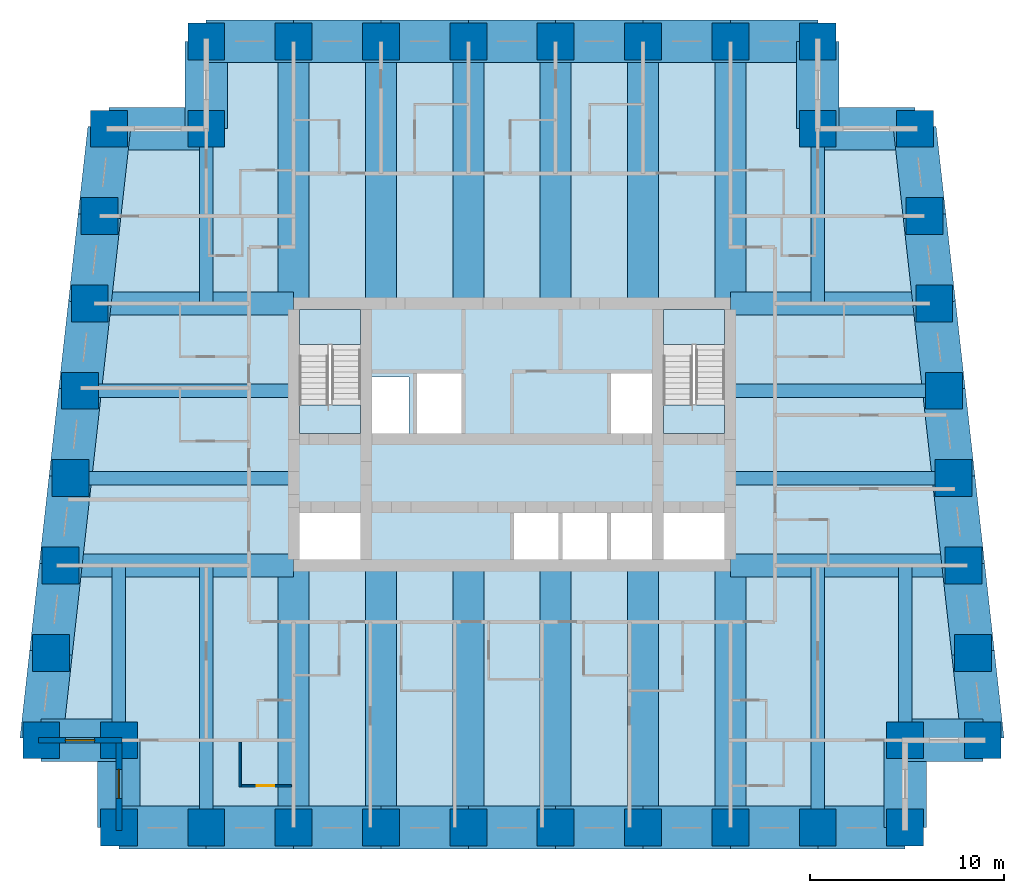
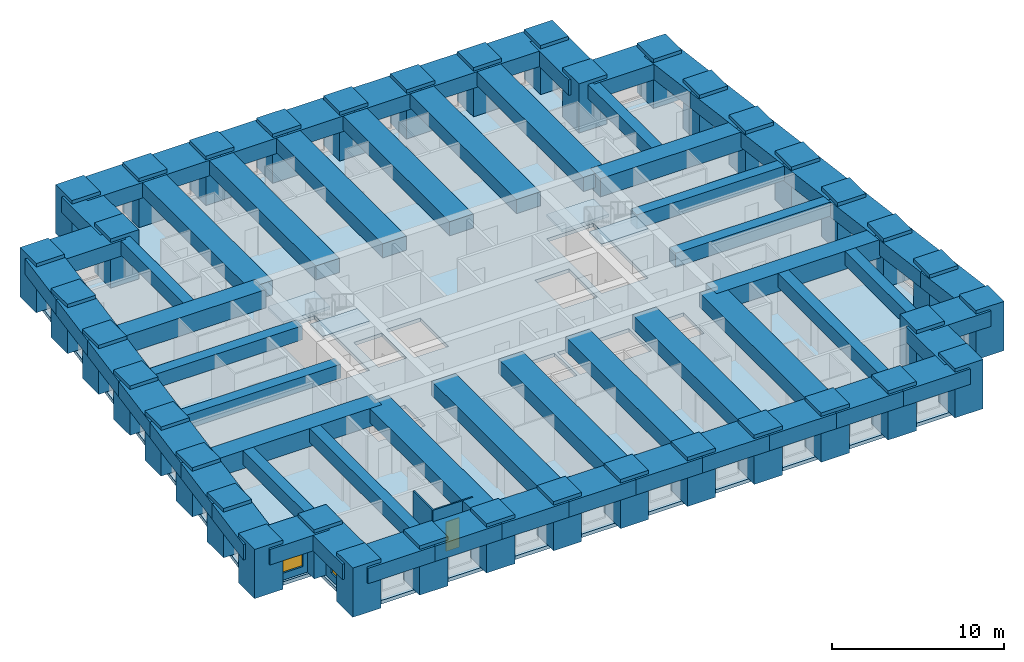
# One storey, part 1 of 8: 64 beams, 38 columns, 5 slabs, 4 walls, 2 windows, 1 door, 3 openings, 2 elements without a shape of their own.
"""IFC4 building model written with IfcOpenShell, lengths in metres."""

from ifc_helpers import new_model, si_unit, direction, frame, frame_2d, origin, origin_2d, place, context, subcontext, project, spatial, polyline, rectangle, outline, extrude, material, layer, layer_set, material_profile, profile_set, type_object, element, fill, aggregate, save


model = new_model("IFC4")

# Units and contexts
model_context = context("Model", 3, precision=1e-05, world=origin(), true_north=direction((0.0, 1.0)))
body_context = subcontext(model_context, "Body", "Model", "MODEL_VIEW")
ifc_project = project(units=[si_unit("LENGTHUNIT", "METRE"), si_unit("AREAUNIT", "SQUARE_METRE"), si_unit("VOLUMEUNIT", "CUBIC_METRE"), si_unit("PLANEANGLEUNIT", "RADIAN"), si_unit("MASSUNIT", "GRAM", prefix="KILO")], contexts=[model_context])

# Site, building, storey
site_placement = place(None, origin())
site = spatial("IfcSite", under=ifc_project, at=site_placement, CompositionType="ELEMENT")
building_placement = place(site_placement, origin())
building = spatial("IfcBuilding", under=site, at=building_placement, Name="Kilele Tower Hotel", CompositionType="ELEMENT")
storey_placement = place(building_placement, frame((0.0, 0.0, 135.39990234375)))
storey = spatial("IfcBuildingStorey", under=building, at=storey_placement, Name="L35", CompositionType="ELEMENT", Elevation=135.39990234375)

# Columns
ifc_material_1 = material(Name="Concrete C70/85", Category="concrete")
ifc_material_profile_1 = material_profile(ifc_material_1, rectangle(XDim=1.89990234375, YDim=1.89990234375, at=origin_2d()))
ifc_profile_set_1 = profile_set([ifc_material_profile_1], Name="Concrete C70/85")
column_type = type_object("IfcColumnType", Name="Tube column RC 1900x1900 C70/85", PredefinedType="COLUMN", material=ifc_profile_set_1)
for number, where, z_axis, x_axis, name in (
    (1, (0.5, 4.5, 0.0), (0.0, 0.0, 1.0), (1.0, 0.0, 0.0), "Column TC2 L35"),
    (2, (4.5, 4.5, 0.0), (0.0, 0.0, 1.0), (1.0, 0.0, 0.0), "Column TC2 L35"),
    (3, (4.5, 0.0, 0.0), (0.0, 0.0, 1.0), (1.0, 0.0, 0.0), "Column TC2 L35"),
    (4, (9.0, 0.0, 0.0), (0.0, 0.0, 1.0), (1.0, 0.0, 0.0), "Column TC2 L35"),
    (5, (13.5, 0.0, 0.0), (0.0, 0.0, 1.0), (1.0, 0.0, 0.0), "Column TC2 L35"),
    (6, (18.0, 0.0, 0.0), (0.0, 0.0, 1.0), (1.0, 0.0, 0.0), "Column TC2 L35"),
    (7, (22.5, 0.0, 0.0), (0.0, 0.0, 1.0), (1.0, 0.0, 0.0), "Column TC2 L35"),
    (8, (27.0, 0.0, 0.0), (0.0, 0.0, 1.0), (1.0, 0.0, 0.0), "Column TC2 L35"),
    (9, (31.5, 0.0, 0.0), (0.0, 0.0, 1.0), (1.0, 0.0, 0.0), "Column TC2 L35"),
    (10, (36.0, 0.0, 0.0), (0.0, 0.0, 1.0), (1.0, 0.0, 0.0), "Column TC2 L35"),
    (11, (40.5, 0.0, 0.0), (0.0, 0.0, 1.0), (1.0, 0.0, 0.0), "Column TC2 L35"),
    (12, (45.0, 0.0, 0.0), (0.0, 0.0, 1.0), (1.0, 0.0, 0.0), "Column TC2 L35"),
    (13, (45.0, 4.5, 0.0), (0.0, 0.0, 1.0), (1.0, 0.0, 0.0), "Column TC2 L35"),
    (14, (49.0, 4.5, 0.0), (0.0, 0.0, 1.0), (1.0, 0.0, 0.0), "Column TC2 L35"),
    (15, (48.5, 9.0, 0.0), (0.0, 0.0, 1.0), (1.0, 0.0, 0.0), "Column TC2 L35"),
    (16, (48.0, 13.5, 0.0), (0.0, 0.0, 1.0), (1.0, 0.0, 0.0), "Column TC2 L35"),
    (17, (47.5, 18.0, 0.0), (0.0, 0.0, 1.0), (1.0, 0.0, 0.0), "Column TC2 L35"),
    (18, (47.0, 22.5, 0.0), (0.0, 0.0, 1.0), (1.0, 0.0, 0.0), "Column TC2 L35"),
    (19, (46.5, 27.0, 0.0), (0.0, 0.0, 1.0), (1.0, 0.0, 0.0), "Column TC2 L35"),
    (20, (46.0, 31.5, 0.0), (0.0, 0.0, 1.0), (1.0, 0.0, 0.0), "Column TC2 L35"),
    (21, (45.5, 36.0, 0.0), (0.0, 0.0, 1.0), (1.0, 0.0, 0.0), "Column TC2 L35"),
    (22, (40.5, 36.0, 0.0), (0.0, 0.0, 1.0), (1.0, 0.0, 0.0), "Column TC2 L35"),
    (23, (40.5, 40.5, 0.0), (0.0, 0.0, 1.0), (1.0, 0.0, 0.0), "Column TC2 L35"),
    (24, (36.0, 40.5, 0.0), (0.0, 0.0, 1.0), (1.0, 0.0, 0.0), "Column TC2 L35"),
    (25, (31.5, 40.5, 0.0), (0.0, 0.0, 1.0), (1.0, 0.0, 0.0), "Column TC2 L35"),
    (26, (27.0, 40.5, 0.0), (0.0, 0.0, 1.0), (1.0, 0.0, 0.0), "Column TC2 L35"),
    (27, (22.5, 40.5, 0.0), (0.0, 0.0, 1.0), (1.0, 0.0, 0.0), "Column TC2 L35"),
    (28, (18.0, 40.5, 0.0), (0.0, 0.0, 1.0), (1.0, 0.0, 0.0), "Column TC2 L35"),
    (29, (13.5, 40.5, 0.0), (0.0, 0.0, 1.0), (1.0, 0.0, 0.0), "Column TC2 L35"),
    (30, (9.0, 40.5, 0.0), (0.0, 0.0, 1.0), (1.0, 0.0, 0.0), "Column TC2 L35"),
    (31, (9.0, 36.0, 0.0), (0.0, 0.0, 1.0), (1.0, 0.0, 0.0), "Column TC2 L35"),
    (32, (4.0, 36.0, 0.0), (0.0, 0.0, 1.0), (1.0, 0.0, 0.0), "Column TC2 L35"),
    (33, (3.5, 31.5, 0.0), (0.0, 0.0, 1.0), (1.0, 0.0, 0.0), "Column TC2 L35"),
    (34, (3.0, 27.0, 0.0), (0.0, 0.0, 1.0), (1.0, 0.0, 0.0), "Column TC2 L35"),
    (35, (2.5, 22.5, 0.0), (0.0, 0.0, 1.0), (1.0, 0.0, 0.0), "Column TC2 L35"),
    (36, (2.0, 18.0, 0.0), (0.0, 0.0, 1.0), (1.0, 0.0, 0.0), "Column TC2 L35"),
    (37, (1.5, 13.5, 0.0), (0.0, 0.0, 1.0), (1.0, 0.0, 0.0), "Column TC2 L35"),
    (38, (1.0, 9.0, 0.0), (0.0, 0.0, 1.0), (1.0, 0.0, 0.0), "Column TC2 L35"),
):
    element("IfcColumn", number, at=place(storey_placement, frame(where, z_axis=z_axis, x_axis=x_axis)), inside=storey, type_object=column_type, Name=name, PredefinedType="COLUMN", context=body_context, shape_type="SweptSolid", body=[
        extrude(rectangle(XDim=1.89990234375, YDim=1.89990234375, at=origin_2d()), origin(), (0.0, 0.0, 1.0), 3.5),
    ])

# Beams
ifc_material_2 = material(Name="Concrete C60/75", Category="concrete")
ifc_material_profile_2 = material_profile(ifc_material_2, rectangle(XDim=1.60009765625, YDim=1.0, at=origin_2d()))
ifc_profile_set_2 = profile_set([ifc_material_profile_2], Name="Concrete C60/75")
beam_type_1 = type_object("IfcBeamType", Name="Beam RC 1600x1000 C60/75", PredefinedType="BEAM", material=ifc_profile_set_2)
for number, where, z_axis, x_axis, name in (
    (39, (13.5, 0.0, 2.75), (0.0, 1.0, 0.0), (-1.0, 0.0, 0.0), "Beam BC1 level L36"),
    (40, (18.0, 0.0, 2.75), (0.0, 1.0, 0.0), (-1.0, 0.0, 0.0), "Beam BC1 level L36"),
    (41, (22.5, 0.0, 2.75), (0.0, 1.0, 0.0), (-1.0, 0.0, 0.0), "Beam BC1 level L36"),
    (42, (27.0, 0.0, 2.75), (0.0, 1.0, 0.0), (-1.0, 0.0, 0.0), "Beam BC1 level L36"),
    (43, (31.5, 0.0, 2.75), (0.0, 1.0, 0.0), (-1.0, 0.0, 0.0), "Beam BC1 level L36"),
    (44, (36.0, 0.0, 2.75), (0.0, 1.0, 0.0), (-1.0, 0.0, 0.0), "Beam BC1 level L36"),
    (45, (36.0, 40.5, 2.75), (0.0, -1.0, 0.0), (1.0, 0.0, 0.0), "Beam BC1 level L36"),
    (46, (31.5, 40.5, 2.75), (0.0, -1.0, 0.0), (1.0, 0.0, 0.0), "Beam BC1 level L36"),
    (47, (27.0, 40.5, 2.75), (0.0, -1.0, 0.0), (1.0, 0.0, 0.0), "Beam BC1 level L36"),
    (48, (22.5, 40.5, 2.75), (0.0, -1.0, 0.0), (1.0, 0.0, 0.0), "Beam BC1 level L36"),
    (49, (18.0, 40.5, 2.75), (0.0, -1.0, 0.0), (1.0, 0.0, 0.0), "Beam BC1 level L36"),
    (50, (13.5, 40.5, 2.75), (0.0, -1.0, 0.0), (1.0, 0.0, 0.0), "Beam BC1 level L36"),
):
    element("IfcBeam", number, at=place(storey_placement, frame(where, z_axis=z_axis, x_axis=x_axis)), inside=storey, type_object=beam_type_1, Name=name, PredefinedType="BEAM", context=body_context, shape_type="SweptSolid", body=[
        extrude(rectangle(XDim=1.60009765625, YDim=1.0, at=origin_2d()), origin(), (0.0, 0.0, 1.0), 13.5),
    ])
ifc_material_3 = material(Name="Concrete C60/75", Category="concrete")
ifc_material_profile_3 = material_profile(ifc_material_3, rectangle(XDim=0.699951171875, YDim=1.0, at=origin_2d()))
ifc_profile_set_3 = profile_set([ifc_material_profile_3], Name="Concrete C60/75")
beam_type_2 = type_object("IfcBeamType", Name="Beam RC 700x1000 C60/75", PredefinedType="BEAM", material=ifc_profile_set_3)
for number, where, z_axis, x_axis, name in (
    (51, (9.0, 0.0, 2.75), (0.0, 1.0, 0.0), (-1.0, 0.0, 0.0), "Beam B4 level L36"),
    (52, (40.5, 0.0, 2.75), (0.0, 1.0, 0.0), (-1.0, 0.0, 0.0), "Beam B4 level L36"),
):
    element("IfcBeam", number, at=place(storey_placement, frame(where, z_axis=z_axis, x_axis=x_axis)), inside=storey, type_object=beam_type_2, Name=name, PredefinedType="BEAM", context=body_context, shape_type="SweptSolid", body=[
        extrude(rectangle(XDim=0.699951171875, YDim=1.0, at=origin_2d()), origin(), (0.0, 0.0, 1.0), 13.5),
    ])
ifc_material_4 = material(Name="Concrete C60/75", Category="concrete")
ifc_material_profile_4 = material_profile(ifc_material_4, rectangle(XDim=0.699951171875, YDim=1.0, at=origin_2d()))
ifc_profile_set_4 = profile_set([ifc_material_profile_4], Name="Concrete C60/75")
beam_type_3 = type_object("IfcBeamType", Name="Beam RC 700x1000 C60/75 mid span", PredefinedType="BEAM", material=ifc_profile_set_4)
for number, where, z_axis, x_axis, name in (
    (53, (4.5, 4.5, 2.75), (0.0, 1.0, 0.0), (-1.0, 0.0, 0.0), "Beam B5 level L36"),
    (54, (45.0, 4.5, 2.75), (0.0, 1.0, 0.0), (-1.0, 0.0, 0.0), "Beam B5 level L36"),
):
    element("IfcBeam", number, at=place(storey_placement, frame(where, z_axis=z_axis, x_axis=x_axis)), inside=storey, type_object=beam_type_3, Name=name, PredefinedType="BEAM", context=body_context, shape_type="SweptSolid", body=[
        extrude(rectangle(XDim=0.699951171875, YDim=1.0, at=origin_2d()), origin(), (0.0, 0.0, 1.0), 9.0),
    ])
beam_1_placement = place(storey_placement, frame((47.5, 18.0, 2.75), z_axis=(-1.0, 0.0, 0.0), x_axis=(0.0, -1.0, 0.0)))
element("IfcBeam", 55, at=beam_1_placement, inside=storey, type_object=beam_type_3, Name="Beam B5 level L36", PredefinedType="BEAM", context=body_context, shape_type="SweptSolid", body=[
    extrude(rectangle(XDim=0.699951171875, YDim=1.0, at=origin_2d()), origin(), (0.0, 0.0, 1.0), 11.5),
])
beam_2_placement = place(storey_placement, frame((47.0, 22.5, 2.75), z_axis=(-1.0, 0.0, 0.0), x_axis=(0.0, -1.0, 0.0)))
element("IfcBeam", 56, at=beam_2_placement, inside=storey, type_object=beam_type_3, Name="Beam B5 level L36", PredefinedType="BEAM", context=body_context, shape_type="SweptSolid", body=[
    extrude(rectangle(XDim=0.699951171875, YDim=1.0, at=origin_2d()), origin(), (0.0, 0.0, 1.0), 11.0),
])
for number, where, z_axis, x_axis, name in (
    (57, (40.5, 36.0, 2.75), (0.0, -1.0, 0.0), (1.0, 0.0, 0.0), "Beam B5 level L36"),
    (58, (9.0, 36.0, 2.75), (0.0, -1.0, 0.0), (1.0, 0.0, 0.0), "Beam B5 level L36"),
):
    element("IfcBeam", number, at=place(storey_placement, frame(where, z_axis=z_axis, x_axis=x_axis)), inside=storey, type_object=beam_type_3, Name=name, PredefinedType="BEAM", context=body_context, shape_type="SweptSolid", body=[
        extrude(rectangle(XDim=0.699951171875, YDim=1.0, at=origin_2d()), origin(), (0.0, 0.0, 1.0), 9.0),
    ])
beam_3_placement = place(storey_placement, frame((2.5, 22.5, 2.75), z_axis=(1.0, 0.0, 0.0), x_axis=(0.0, 1.0, 0.0)))
element("IfcBeam", 59, at=beam_3_placement, inside=storey, type_object=beam_type_3, Name="Beam B5 level L36", PredefinedType="BEAM", context=body_context, shape_type="SweptSolid", body=[
    extrude(rectangle(XDim=0.699951171875, YDim=1.0, at=origin_2d()), origin(), (0.0, 0.0, 1.0), 11.0),
])
beam_4_placement = place(storey_placement, frame((2.0, 18.0, 2.75), z_axis=(1.0, 0.0, 0.0), x_axis=(0.0, 1.0, 0.0)))
element("IfcBeam", 60, at=beam_4_placement, inside=storey, type_object=beam_type_3, Name="Beam B5 level L36", PredefinedType="BEAM", context=body_context, shape_type="SweptSolid", body=[
    extrude(rectangle(XDim=0.699951171875, YDim=1.0, at=origin_2d()), origin(), (0.0, 0.0, 1.0), 11.5),
])
ifc_material_5 = material(Name="Concrete C60/75", Category="concrete")
ifc_material_profile_5 = material_profile(ifc_material_5, rectangle(XDim=1.199951171875, YDim=1.300048828125, at=origin_2d()))
ifc_profile_set_5 = profile_set([ifc_material_profile_5], Name="Concrete C60/75")
beam_type_4 = type_object("IfcBeamType", Name="Girder RC 1200x1300 C60/75", PredefinedType="BEAM", material=ifc_profile_set_5)
for number, where, z_axis, x_axis, name in (
    (61, (48.0, 13.5, 2.60009765625), (-1.0, 0.0, 0.0), (0.0, -1.0, 0.0), "Girder G1 level L36"),
    (62, (1.5, 13.5, 2.60009765625), (1.0, 0.0, 0.0), (0.0, 1.0, 0.0), "Girder G1 level L36"),
):
    element("IfcBeam", number, at=place(storey_placement, frame(where, z_axis=z_axis, x_axis=x_axis)), inside=storey, type_object=beam_type_4, Name=name, PredefinedType="BEAM", context=body_context, shape_type="SweptSolid", body=[
        extrude(rectangle(XDim=1.199951171875, YDim=1.300048828125, at=origin_2d()), origin(), (0.0, 0.0, 1.0), 12.0),
    ])
ifc_material_6 = material(Name="Concrete C60/75", Category="concrete")
ifc_material_profile_6 = material_profile(ifc_material_6, rectangle(XDim=1.199951171875, YDim=1.300048828125, at=origin_2d()))
ifc_profile_set_6 = profile_set([ifc_material_profile_6], Name="Concrete C60/75")
beam_type_5 = type_object("IfcBeamType", Name="Girder RC 1200x1300 C60/75 mid span", PredefinedType="BEAM", material=ifc_profile_set_6)
for number, where, z_axis, x_axis, name in (
    (63, (46.5, 27.0, 2.60009765625), (-1.0, 0.0, 0.0), (0.0, -1.0, 0.0), "Girder G3 level L36"),
    (64, (3.0, 27.0, 2.60009765625), (1.0, 0.0, 0.0), (0.0, 1.0, 0.0), "Girder G3 level L36"),
):
    element("IfcBeam", number, at=place(storey_placement, frame(where, z_axis=z_axis, x_axis=x_axis)), inside=storey, type_object=beam_type_5, Name=name, PredefinedType="BEAM", context=body_context, shape_type="SweptSolid", body=[
        extrude(rectangle(XDim=1.199951171875, YDim=1.300048828125, at=origin_2d()), origin(), (0.0, 0.0, 1.0), 10.5),
    ])
ifc_material_7 = material(Name="Concrete C60/75", Category="concrete")
ifc_material_profile_7 = material_profile(ifc_material_7, rectangle(XDim=2.199951171875, YDim=1.10009765625, at=origin_2d()))
ifc_profile_set_7 = profile_set([ifc_material_profile_7], Name="Concrete C60/75")
beam_type_6 = type_object("IfcBeamType", Name="Spandrel RC 2200x1100 C60/75", PredefinedType="SPANDREL", material=ifc_profile_set_7)
beam_5_placement = place(storey_placement, frame((0.5, 4.5, 2.7001953125), z_axis=(1.0, 0.0, 0.0), x_axis=(0.0, 1.0, 0.0)))
element("IfcBeam", 65, at=beam_5_placement, inside=storey, type_object=beam_type_6, Name="Spandrel SP6 level L36", PredefinedType="SPANDREL", context=body_context, shape_type="SweptSolid", body=[
    extrude(rectangle(XDim=2.199951171875, YDim=1.10009765625, at=origin_2d()), origin(), (0.0, 0.0, 1.0), 4.0),
])
for number, where, z_axis, x_axis, name in (
    (66, (4.5, 4.5, 2.7001953125), (0.0, -1.0, 0.0), (1.0, 0.0, 0.0), "Spandrel SP6 level L36"),
    (67, (4.5, 0.0, 2.7001953125), (1.0, 0.0, 0.0), (0.0, 1.0, 0.0), "Spandrel SP6 level L36"),
    (68, (9.0, 0.0, 2.7001953125), (1.0, 0.0, 0.0), (0.0, 1.0, 0.0), "Spandrel SP6 level L36"),
    (69, (13.5, 0.0, 2.7001953125), (1.0, 0.0, 0.0), (0.0, 1.0, 0.0), "Spandrel SP6 level L36"),
    (70, (18.0, 0.0, 2.7001953125), (1.0, 0.0, 0.0), (0.0, 1.0, 0.0), "Spandrel SP6 level L36"),
    (71, (22.5, 0.0, 2.7001953125), (1.0, 0.0, 0.0), (0.0, 1.0, 0.0), "Spandrel SP6 level L36"),
    (72, (27.0, 0.0, 2.7001953125), (1.0, 0.0, 0.0), (0.0, 1.0, 0.0), "Spandrel SP6 level L36"),
    (73, (31.5, 0.0, 2.7001953125), (1.0, 0.0, 0.0), (0.0, 1.0, 0.0), "Spandrel SP6 level L36"),
    (74, (36.0, 0.0, 2.7001953125), (1.0, 0.0, 0.0), (0.0, 1.0, 0.0), "Spandrel SP6 level L36"),
    (75, (40.5, 0.0, 2.7001953125), (1.0, 0.0, 0.0), (0.0, 1.0, 0.0), "Spandrel SP6 level L36"),
    (76, (45.0, 0.0, 2.7001953125), (0.0, 1.0, 0.0), (-1.0, 0.0, 0.0), "Spandrel SP6 level L36"),
):
    element("IfcBeam", number, at=place(storey_placement, frame(where, z_axis=z_axis, x_axis=x_axis)), inside=storey, type_object=beam_type_6, Name=name, PredefinedType="SPANDREL", context=body_context, shape_type="SweptSolid", body=[
        extrude(rectangle(XDim=2.199951171875, YDim=1.10009765625, at=origin_2d()), origin(), (0.0, 0.0, 1.0), 4.5),
    ])
beam_6_placement = place(storey_placement, frame((45.0, 4.5, 2.7001953125), z_axis=(1.0, 0.0, 0.0), x_axis=(0.0, 1.0, 0.0)))
element("IfcBeam", 77, at=beam_6_placement, inside=storey, type_object=beam_type_6, Name="Spandrel SP6 level L36", PredefinedType="SPANDREL", context=body_context, shape_type="SweptSolid", body=[
    extrude(rectangle(XDim=2.199951171875, YDim=1.10009765625, at=origin_2d()), origin(), (0.0, 0.0, 1.0), 4.0),
])
for number, where, z_axis, x_axis, name in (
    (78, (49.0, 4.5, 2.7001953125), (-0.110431526075, 0.993883734674, 0.0), (-0.993883734674, -0.110431526075, 0.0), "Spandrel SP6 level L36"),
    (79, (48.5, 9.0, 2.7001953125), (-0.110431526075, 0.993883734674, 0.0), (-0.993883734674, -0.110431526075, 0.0), "Spandrel SP6 level L36"),
    (80, (48.0, 13.5, 2.7001953125), (-0.110431526075, 0.993883734674, 0.0), (-0.993883734674, -0.110431526075, 0.0), "Spandrel SP6 level L36"),
    (81, (47.5, 18.0, 2.7001953125), (-0.110431526075, 0.993883734674, 0.0), (-0.993883734674, -0.110431526075, 0.0), "Spandrel SP6 level L36"),
    (82, (47.0, 22.5, 2.7001953125), (-0.110431526075, 0.993883734674, 0.0), (-0.993883734674, -0.110431526075, 0.0), "Spandrel SP6 level L36"),
    (83, (46.5, 27.0, 2.7001953125), (-0.110431526075, 0.993883734674, 0.0), (-0.993883734674, -0.110431526075, 0.0), "Spandrel SP6 level L36"),
    (84, (46.0, 31.5, 2.7001953125), (-0.110431526075, 0.993883734674, 0.0), (-0.993883734674, -0.110431526075, 0.0), "Spandrel SP6 level L36"),
):
    element("IfcBeam", number, at=place(storey_placement, frame(where, z_axis=z_axis, x_axis=x_axis)), inside=storey, type_object=beam_type_6, Name=name, PredefinedType="SPANDREL", context=body_context, shape_type="SweptSolid", body=[
        extrude(rectangle(XDim=2.199951171875, YDim=1.10009765625, at=origin_2d()), origin(), (0.0, 0.0, 1.0), 4.527587890625),
    ])
beam_7_placement = place(storey_placement, frame((45.5, 36.0, 2.7001953125), z_axis=(-1.0, 0.0, 0.0), x_axis=(0.0, -1.0, 0.0)))
element("IfcBeam", 85, at=beam_7_placement, inside=storey, type_object=beam_type_6, Name="Spandrel SP6 level L36", PredefinedType="SPANDREL", context=body_context, shape_type="SweptSolid", body=[
    extrude(rectangle(XDim=2.199951171875, YDim=1.10009765625, at=origin_2d()), origin(), (0.0, 0.0, 1.0), 5.0),
])
for number, where, z_axis, x_axis, name in (
    (86, (40.5, 36.0, 2.7001953125), (0.0, 1.0, 0.0), (-1.0, 0.0, 0.0), "Spandrel SP6 level L36"),
    (87, (40.5, 40.5, 2.7001953125), (-1.0, 0.0, 0.0), (0.0, -1.0, 0.0), "Spandrel SP6 level L36"),
    (88, (36.0, 40.5, 2.7001953125), (-1.0, 0.0, 0.0), (0.0, -1.0, 0.0), "Spandrel SP6 level L36"),
    (89, (31.5, 40.5, 2.7001953125), (-1.0, 0.0, 0.0), (0.0, -1.0, 0.0), "Spandrel SP6 level L36"),
    (90, (27.0, 40.5, 2.7001953125), (-1.0, 0.0, 0.0), (0.0, -1.0, 0.0), "Spandrel SP6 level L36"),
    (91, (22.5, 40.5, 2.7001953125), (-1.0, 0.0, 0.0), (0.0, -1.0, 0.0), "Spandrel SP6 level L36"),
    (92, (18.0, 40.5, 2.7001953125), (-1.0, 0.0, 0.0), (0.0, -1.0, 0.0), "Spandrel SP6 level L36"),
    (93, (13.5, 40.5, 2.7001953125), (-1.0, 0.0, 0.0), (0.0, -1.0, 0.0), "Spandrel SP6 level L36"),
    (94, (9.0, 40.5, 2.7001953125), (0.0, -1.0, 0.0), (1.0, 0.0, 0.0), "Spandrel SP6 level L36"),
):
    element("IfcBeam", number, at=place(storey_placement, frame(where, z_axis=z_axis, x_axis=x_axis)), inside=storey, type_object=beam_type_6, Name=name, PredefinedType="SPANDREL", context=body_context, shape_type="SweptSolid", body=[
        extrude(rectangle(XDim=2.199951171875, YDim=1.10009765625, at=origin_2d()), origin(), (0.0, 0.0, 1.0), 4.5),
    ])
beam_8_placement = place(storey_placement, frame((9.0, 36.0, 2.7001953125), z_axis=(-1.0, 0.0, 0.0), x_axis=(0.0, -1.0, 0.0)))
element("IfcBeam", 95, at=beam_8_placement, inside=storey, type_object=beam_type_6, Name="Spandrel SP6 level L36", PredefinedType="SPANDREL", context=body_context, shape_type="SweptSolid", body=[
    extrude(rectangle(XDim=2.199951171875, YDim=1.10009765625, at=origin_2d()), origin(), (0.0, 0.0, 1.0), 5.0),
])
for number, where, z_axis, x_axis, name in (
    (96, (4.0, 36.0, 2.7001953125), (-0.110431526075, -0.993883734674, 0.0), (0.993883734674, -0.110431526075, 0.0), "Spandrel SP6 level L36"),
    (97, (3.5, 31.5, 2.7001953125), (-0.110431526075, -0.993883734674, 0.0), (0.993883734674, -0.110431526075, 0.0), "Spandrel SP6 level L36"),
    (98, (3.0, 27.0, 2.7001953125), (-0.110431526075, -0.993883734674, 0.0), (0.993883734674, -0.110431526075, 0.0), "Spandrel SP6 level L36"),
    (99, (2.5, 22.5, 2.7001953125), (-0.110431526075, -0.993883734674, 0.0), (0.993883734674, -0.110431526075, 0.0), "Spandrel SP6 level L36"),
    (100, (2.0, 18.0, 2.7001953125), (-0.110431526075, -0.993883734674, 0.0), (0.993883734674, -0.110431526075, 0.0), "Spandrel SP6 level L36"),
    (101, (1.5, 13.5, 2.7001953125), (-0.110431526075, -0.993883734674, 0.0), (0.993883734674, -0.110431526075, 0.0), "Spandrel SP6 level L36"),
    (102, (1.0, 9.0, 2.7001953125), (-0.110431526075, -0.993883734674, 0.0), (0.993883734674, -0.110431526075, 0.0), "Spandrel SP6 level L36"),
):
    element("IfcBeam", number, at=place(storey_placement, frame(where, z_axis=z_axis, x_axis=x_axis)), inside=storey, type_object=beam_type_6, Name=name, PredefinedType="SPANDREL", context=body_context, shape_type="SweptSolid", body=[
        extrude(rectangle(XDim=2.199951171875, YDim=1.10009765625, at=origin_2d()), origin(), (0.0, 0.0, 1.0), 4.527587890625),
    ])

# Slab
ifc_material_8 = material(Name="Concrete C60/75", Category="concrete")
ifc_layer_1 = layer(ifc_material_8, 0.25)
ifc_layer_set_1 = layer_set([ifc_layer_1], Name="Concrete C60/75")
slab_type_1 = type_object("IfcSlabType", Name="Floor slab 250", PredefinedType="FLOOR", material=ifc_layer_set_1)
slab_1_placement = place(storey_placement, frame((0.0, 0.0, -0.25)))
element("IfcSlab", 103, at=slab_1_placement, inside=storey, type_object=slab_type_1, Name="Floor slab L35", PredefinedType="FLOOR", context=body_context, shape_type="SweptSolid", body=[
    extrude(outline(polyline([(8.699951171875, 36.300048828125), (8.699951171875, 40.800048828125), (40.800048828125, 40.800048828125), (40.800048828125, 36.300048828125), (45.7685546875, 36.300048828125), (49.335205078125, 4.199951171875), (45.300048828125, 4.199951171875), (45.300048828125, -0.300048828125), (4.199951171875, -0.300048828125), (4.199951171875, 4.199951171875), (0.164794921875, 4.199951171875), (3.7314453125, 36.300048828125), (8.699951171875, 36.300048828125)]), holes=[polyline([(16.949951171875, 16.199951171875), (13.800048828125, 16.199951171875), (13.800048828125, 13.800048828125), (16.949951171875, 13.800048828125), (16.949951171875, 16.199951171875)]), polyline([(35.699951171875, 16.199951171875), (32.550048828125, 16.199951171875), (32.550048828125, 13.800048828125), (35.699951171875, 13.800048828125), (35.699951171875, 16.199951171875)]), polyline([(27.14990234375, 16.39990234375), (24.85009765625, 16.39990234375), (24.85009765625, 13.800048828125), (27.14990234375, 13.800048828125), (27.14990234375, 16.39990234375)]), polyline([(29.64990234375, 13.800048828125), (29.64990234375, 16.39990234375), (27.35009765625, 16.39990234375), (27.35009765625, 13.800048828125), (29.64990234375, 13.800048828125)]), polyline([(32.14990234375, 13.800048828125), (32.14990234375, 16.39990234375), (29.85009765625, 16.39990234375), (29.85009765625, 13.800048828125), (32.14990234375, 13.800048828125)]), polyline([(19.449951171875, 23.199951171875), (17.550048828125, 23.199951171875), (17.550048828125, 20.300048828125), (19.449951171875, 20.300048828125), (19.449951171875, 23.199951171875)]), polyline([(22.14990234375, 23.39990234375), (19.85009765625, 23.39990234375), (19.85009765625, 20.10009765625), (22.14990234375, 20.10009765625), (22.14990234375, 23.39990234375)]), polyline([(32.14990234375, 23.39990234375), (29.85009765625, 23.39990234375), (29.85009765625, 20.10009765625), (32.14990234375, 20.10009765625), (32.14990234375, 23.39990234375)]), polyline([(16.949951171875, 20.300048828125), (16.949951171875, 26.699951171875), (13.800048828125, 26.699951171875), (13.800048828125, 20.300048828125), (16.949951171875, 20.300048828125)]), polyline([(35.699951171875, 20.300048828125), (35.699951171875, 26.699951171875), (32.550048828125, 26.699951171875), (32.550048828125, 20.300048828125), (35.699951171875, 20.300048828125)])]), origin(), (0.0, 0.0, 1.0), 0.25),
])

# Stair, slabs
ifc_material_9 = material(Name="Precast concrete C40/50", Category="concrete")
stair_type = type_object("IfcStairType", Name="Stair 1475 x 3500", PredefinedType="HALF_TURN_STAIR", material=ifc_material_9)
stair_1_placement = place(storey_placement, origin())
stair_1 = element("IfcStair", 104, at=stair_1_placement, inside=storey, type_object=stair_type, Name="Stair 1 L35", PredefinedType="HALF_TURN_STAIR")
ifc_material_10 = material(Name="Precast concrete C40/50", Category="concrete")
ifc_layer_2 = layer(ifc_material_10, 0.199951171875)
ifc_layer_set_2 = layer_set([ifc_layer_2], Name="Precast concrete C40/50")
slab_type_2 = type_object("IfcSlabType", Name="Stair landing 200", PredefinedType="LANDING", material=ifc_layer_set_2)
slab_2_placement = place(storey_placement, frame((0.0, 0.0, 1.550048828125)))
slab_2 = element("IfcSlab", 105, at=slab_2_placement, type_object=slab_type_2, Name="ST1 landing 1", PredefinedType="LANDING", context=body_context, shape_type="SweptSolid", body=[
    extrude(outline(polyline([(13.800048828125, 24.89501953125), (16.949951171875, 24.89501953125), (16.949951171875, 26.699951171875), (13.800048828125, 26.699951171875), (13.800048828125, 24.89501953125)])), origin(), (0.0, 0.0, 1.0), 0.199951171875),
])
slab_3_placement = place(storey_placement, frame((0.0, 0.0, 3.300048828125)))
slab_3 = element("IfcSlab", 106, at=slab_3_placement, type_object=slab_type_2, Name="ST1 landing 2", PredefinedType="LANDING", context=body_context, shape_type="SweptSolid", body=[
    extrude(outline(polyline([(13.800048828125, 20.300048828125), (16.949951171875, 20.300048828125), (16.949951171875, 21.77490234375), (13.800048828125, 21.77490234375), (13.800048828125, 20.300048828125)])), origin(), (0.0, 0.0, 1.0), 0.199951171875),
])
aggregate(stair_1, [slab_2, slab_3])

stair_2_placement = place(storey_placement, origin())
stair_2 = element("IfcStair", 107, at=stair_2_placement, inside=storey, type_object=stair_type, Name="Stair 2 L35", PredefinedType="HALF_TURN_STAIR")
slab_4_placement = place(storey_placement, frame((0.0, 0.0, 1.550048828125)))
slab_4 = element("IfcSlab", 108, at=slab_4_placement, type_object=slab_type_2, Name="ST2 landing 1", PredefinedType="LANDING", context=body_context, shape_type="SweptSolid", body=[
    extrude(outline(polyline([(32.550048828125, 24.89501953125), (35.699951171875, 24.89501953125), (35.699951171875, 26.699951171875), (32.550048828125, 26.699951171875), (32.550048828125, 24.89501953125)])), origin(), (0.0, 0.0, 1.0), 0.199951171875),
])
slab_5_placement = place(storey_placement, frame((0.0, 0.0, 3.300048828125)))
slab_5 = element("IfcSlab", 109, at=slab_5_placement, type_object=slab_type_2, Name="ST2 landing 2", PredefinedType="LANDING", context=body_context, shape_type="SweptSolid", body=[
    extrude(outline(polyline([(32.550048828125, 20.300048828125), (35.699951171875, 20.300048828125), (35.699951171875, 21.77490234375), (32.550048828125, 21.77490234375), (32.550048828125, 20.300048828125)])), origin(), (0.0, 0.0, 1.0), 0.199951171875),
])
aggregate(stair_2, [slab_4, slab_5])

# Wall
ifc_material_11 = material(Name="Moisture-resistant board")
ifc_layer_3 = layer(ifc_material_11, 0.10009765625)
ifc_layer_set_3 = layer_set([ifc_layer_3], Name="Moisture-resistant board")
wall_type_1 = type_object("IfcWallType", Name="Bathroom partition 100", PredefinedType="PLUMBINGWALL", material=ifc_layer_set_3)
wall_1_placement = place(storey_placement, frame((10.75, 4.39990234375, 0.0), z_axis=(0.0, 0.0, 1.0), x_axis=(0.0, -1.0, 0.0)))
element("IfcWall", 110, at=wall_1_placement, inside=storey, type_object=wall_type_1, Name="Bathroom partition 100 L35", PredefinedType="PLUMBINGWALL", context=body_context, shape_type="SweptSolid", body=[
    extrude(rectangle(XDim=2.2998046875, YDim=0.10009765625, at=frame_2d((1.14990234375, 0.0))), origin(), (0.0, 0.0, 1.0), 3.25),
])

# Wall, opening, door
wall_2_placement = place(storey_placement, frame((13.39990234375, 2.14990234375, 0.0), z_axis=(0.0, 0.0, 1.0), x_axis=(-1.0, 0.0, 0.0)))
wall_2 = element("IfcWall", 111, at=wall_2_placement, inside=storey, type_object=wall_type_1, Name="Bathroom partition 100 L35", PredefinedType="PLUMBINGWALL", context=body_context, shape_type="SweptSolid", body=[
    extrude(rectangle(XDim=2.699951171875, YDim=0.10009765625, at=frame_2d((1.35009765625, 0.0))), origin(), (0.0, 0.0, 1.0), 3.25),
])
opening_1_placement = place(wall_2_placement, frame((0.89990234375, 0.0, 0.0)))
opening_1 = element("IfcOpeningElement", 112, at=opening_1_placement, cuts=wall_2, Name="Opening D2A", PredefinedType="OPENING", context=body_context, shape_type="SweptSolid", body=[
    extrude(rectangle(XDim=0.89990234375, YDim=2.10009765625, at=frame_2d((0.449951171875, 1.050048828125))), frame((0.0, 0.06005859375, 0.0), z_axis=(0.0, -1.0, 0.0), x_axis=(1.0, 0.0, 0.0)), (0.0, 0.0, 1.0), 0.1201171875),
])
ifc_material_12 = material(Name="Timber door leaf in hardwood frame", Category="wood")
door_type = type_object("IfcDoorType", Name="Bathroom door 900", OperationType="SINGLE_SWING_LEFT", PredefinedType="DOOR", material=ifc_material_12)
door_placement = place(opening_1_placement, origin())
door = element("IfcDoor", 113, at=door_placement, inside=storey, type_object=door_type, Name="Bathroom door 3519B", OperationType="SINGLE_SWING_LEFT", OverallHeight=2.10009765625, OverallWidth=0.89990234375, PredefinedType="DOOR", context=body_context, shape_type="SweptSolid", body=[
    extrude(rectangle(XDim=0.89990234375, YDim=2.10009765625, at=frame_2d((0.449951171875, 1.050048828125))), frame((0.0, 0.02490234375, 0.0), z_axis=(0.0, -1.0, 0.0), x_axis=(1.0, 0.0, 0.0)), (0.0, 0.0, 1.0), 0.050048828125),
])
fill(opening_1, door)

# Wall, opening, window
ifc_material_13 = material(Name="Concrete C40/50 precast", Category="concrete")
ifc_layer_4 = layer(ifc_material_13, 0.260009765625, Name="Precast backing", Category="LoadBearing")
ifc_material_14 = material(Name="Reconstituted stone finish", Category="masonry")
ifc_layer_5 = layer(ifc_material_14, 0.0400390625, Name="Face mix", Category="Finish")
ifc_layer_set_4 = layer_set([ifc_layer_4, ifc_layer_5], Name="Precast concrete C40/50, reconstituted stone finish")
wall_type_2 = type_object("IfcWallType", Name="Precast stone facade wall 300", PredefinedType="STANDARD", material=ifc_layer_set_4)
wall_3_placement = place(storey_placement, frame((0.35009765625, 4.5, 0.0), z_axis=(0.0, 0.0, 1.0), x_axis=(1.0, 0.0, 0.0)))
wall_3 = element("IfcWall", 114, at=wall_3_placement, inside=storey, type_object=wall_type_2, Name="Facade wall L35 edge 1", PredefinedType="STANDARD", context=body_context, shape_type="SweptSolid", body=[
    extrude(rectangle(XDim=4.2998046875, YDim=0.300048828125, at=frame_2d((2.14990234375, 0.0))), origin(), (0.0, 0.0, 1.0), 2.150146484375),
])
opening_2_placement = place(wall_3_placement, frame((1.39990234375, 0.0, 0.5)))
opening_2 = element("IfcOpeningElement", 115, at=opening_2_placement, cuts=wall_3, Name="Opening W2", PredefinedType="OPENING", context=body_context, shape_type="SweptSolid", body=[
    extrude(rectangle(XDim=1.5, YDim=1.5, at=frame_2d((0.75, 0.75))), frame((0.0, 0.159912109375, 0.0), z_axis=(0.0, -1.0, 0.0), x_axis=(1.0, 0.0, 0.0)), (0.0, 0.0, 1.0), 0.320068359375),
])
ifc_material_15 = material(Name="Aluminium frame, clear double glazing", Category="aluminium")
window_type = type_object("IfcWindowType", Name="Window W2 1500 x 1500", PartitioningType="SINGLE_PANEL", PredefinedType="WINDOW", material=ifc_material_15)
window_1_placement = place(opening_2_placement, origin())
window_1 = element("IfcWindow", 116, at=window_1_placement, inside=storey, type_object=window_type, Name="Window L35", OverallHeight=1.5, OverallWidth=1.5, PartitioningType="SINGLE_PANEL", PredefinedType="WINDOW", context=body_context, shape_type="SweptSolid", body=[
    extrude(rectangle(XDim=1.5, YDim=1.5, at=frame_2d((0.75, 0.75))), frame((0.0, 0.030029296875, 0.0), z_axis=(0.0, -1.0, 0.0), x_axis=(1.0, 0.0, 0.0)), (0.0, 0.0, 1.0), 0.06005859375),
])
fill(opening_2, window_1)

wall_4_placement = place(storey_placement, frame((4.5, 4.64990234375, 0.0), z_axis=(0.0, 0.0, 1.0), x_axis=(0.0, -1.0, 0.0)))
wall_4 = element("IfcWall", 117, at=wall_4_placement, inside=storey, type_object=wall_type_2, Name="Facade wall L35 edge 2", PredefinedType="STANDARD", context=body_context, shape_type="SweptSolid", body=[
    extrude(rectangle(XDim=4.7998046875, YDim=0.300048828125, at=frame_2d((2.39990234375, 0.0))), origin(), (0.0, 0.0, 1.0), 2.150146484375),
])
opening_3_placement = place(wall_4_placement, frame((1.64990234375, 0.0, 0.5)))
opening_3 = element("IfcOpeningElement", 118, at=opening_3_placement, cuts=wall_4, Name="Opening W2", PredefinedType="OPENING", context=body_context, shape_type="SweptSolid", body=[
    extrude(rectangle(XDim=1.5, YDim=1.5, at=frame_2d((0.75, 0.75))), frame((0.0, 0.159912109375, 0.0), z_axis=(0.0, -1.0, 0.0), x_axis=(1.0, 0.0, 0.0)), (0.0, 0.0, 1.0), 0.320068359375),
])
window_2_placement = place(opening_3_placement, origin())
window_2 = element("IfcWindow", 119, at=window_2_placement, inside=storey, type_object=window_type, Name="Window L35", OverallHeight=1.5, OverallWidth=1.5, PartitioningType="SINGLE_PANEL", PredefinedType="WINDOW", context=body_context, shape_type="SweptSolid", body=[
    extrude(rectangle(XDim=1.5, YDim=1.5, at=frame_2d((0.75, 0.75))), frame((0.0, 0.030029296875, 0.0), z_axis=(0.0, -1.0, 0.0), x_axis=(1.0, 0.0, 0.0)), (0.0, 0.0, 1.0), 0.06005859375),
])
fill(opening_3, window_2)

save(model, "model.ifc")
